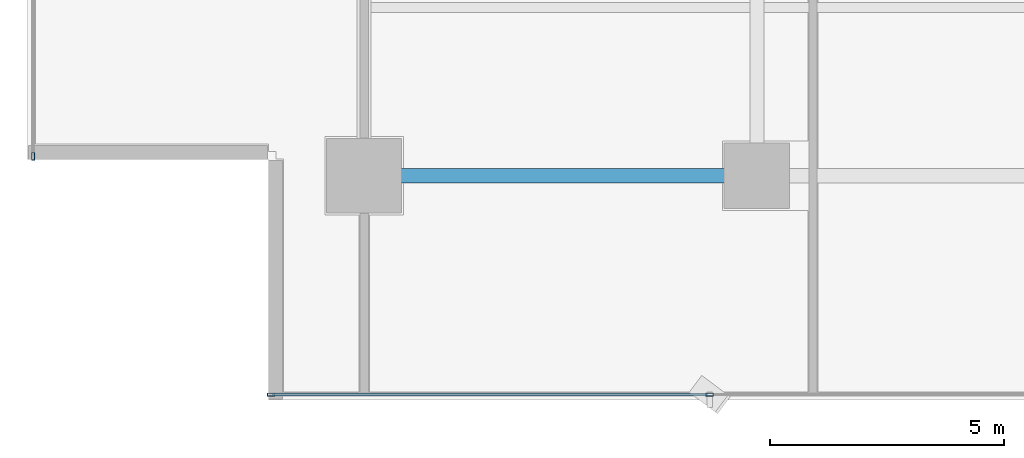
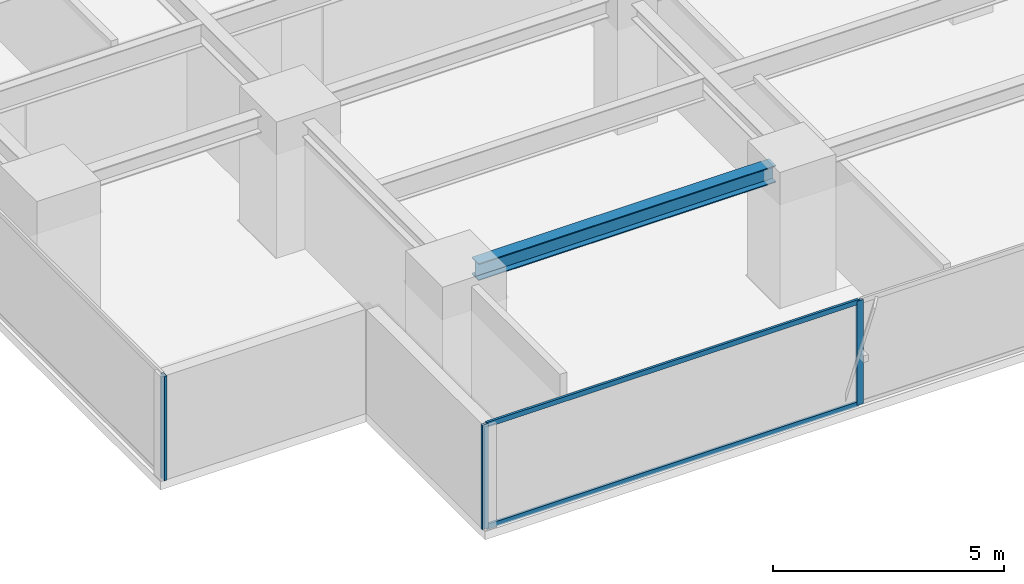
# One storey, part 2 of 28: 5 members, 1 beam, 2 elements without a shape of their own.
"""IFC4 building model written with IfcOpenShell, lengths in metres."""

from ifc_helpers import new_model, si_unit, direction, frame, origin, origin_2d, place, context, subcontext, project, spatial, hollow_rectangle, i_section, extrude, source, transform, mapped, material, layer, layer_set, material_profile, profile_set, type_object, element, aggregate, save


model = new_model("IFC4")

# Units and contexts
model_context = context("Model", 3, precision=1e-05, world=origin(), true_north=direction((0.0, 1.0)))
body_context = subcontext(model_context, "Body", "Model", "MODEL_VIEW")
ifc_project = project(units=[si_unit("LENGTHUNIT", "METRE"), si_unit("AREAUNIT", "SQUARE_METRE"), si_unit("VOLUMEUNIT", "CUBIC_METRE"), si_unit("PLANEANGLEUNIT", "RADIAN"), si_unit("MASSUNIT", "GRAM", prefix="KILO")], contexts=[model_context])

# Site, building, storey
site_placement = place(None, origin())
site = spatial("IfcSite", under=ifc_project, at=site_placement, CompositionType="ELEMENT")
building_placement = place(site_placement, origin())
building = spatial("IfcBuilding", under=site, at=building_placement, Name="Sumidabori Civic Tower", CompositionType="ELEMENT")
storey_placement = place(building_placement, frame((0.0, 0.0, 174.800048828125)))
storey = spatial("IfcBuildingStorey", under=building, at=storey_placement, Name="L45", CompositionType="ELEMENT", Elevation=174.800048828125)

# Beam
ifc_material_1 = material(Name="Steel SN490", Category="steel")
ifc_material_profile_1 = material_profile(ifc_material_1, i_section(OverallWidth=0.300048828125, OverallDepth=0.449951171875, WebThickness=0.013916015625, FlangeThickness=0.02587890625, at=origin_2d()), Name="HE 450 B")
ifc_profile_set_1 = profile_set([ifc_material_profile_1], Name="Steel SN490")
beam_type = type_object("IfcBeamType", Name="BM-GIRD-450", PredefinedType="BEAM", material=ifc_profile_set_1)
shared_shape_1 = source(origin(), body_context, "Body", "SweptSolid", [
    extrude(i_section(OverallWidth=0.300048828125, OverallDepth=0.449951171875, WebThickness=0.013916015625, FlangeThickness=0.02587890625, at=origin_2d()), origin(), (0.0, 0.0, 1.0), 7.440185546875),
])
beam_placement = place(storey_placement, frame((-16.320068359375, -18.0, 3.155029296875), z_axis=(1.0, 0.0, 0.0), x_axis=(0.0, 1.0, 0.0)))
element("IfcBeam", 1, at=beam_placement, inside=storey, type_object=beam_type, Name="Primary Girder L45 GX-01", PredefinedType="BEAM", context=body_context, shape_type="MappedRepresentation", body=[
    mapped(shared_shape_1, transform((0.0, 0.0, 0.0), x_axis=(1.0, 0.0, 0.0), y_axis=(0.0, 1.0, 0.0), z_axis=(0.0, 0.0, 1.0), scale=1.0)),
])

# Curtain wall, members
ifc_material_2 = material(Name="Anodised Bronze Aluminium AW-6063-T6", Category="aluminium")
ifc_layer = layer(ifc_material_2, 0.179931640625, Name="Anodised Bronze Aluminium AW-6063-T6")
ifc_layer_set = layer_set([ifc_layer], Name="Anodised Bronze Aluminium AW-6063-T6")
curtain_wall_type = type_object("IfcCurtainWallType", Name="CW-SYS-3", PredefinedType="NOTDEFINED", material=ifc_layer_set)
curtain_wall_1_placement = place(storey_placement, origin())
curtain_wall_1 = element("IfcCurtainWall", 2, at=curtain_wall_1_placement, inside=storey, type_object=curtain_wall_type, Name="Curtain Wall CW:L45:R01", PredefinedType="NOTDEFINED")
ifc_material_profile_2 = material_profile(ifc_material_2, hollow_rectangle(XDim=0.06494140625, YDim=0.159912109375, WallThickness=0.0048828125, at=origin_2d()), Name="ALU MULLION 160x65")
ifc_profile_set_2 = profile_set([ifc_material_profile_2], Name="Anodised Bronze Aluminium AW-6063-T6")
member_type_1 = type_object("IfcMemberType", Name="CW-MUL-160", PredefinedType="MULLION", material=ifc_profile_set_2)
shared_shape_2 = source(origin(), body_context, "Body", "SweptSolid", [
    extrude(hollow_rectangle(XDim=0.06494140625, YDim=0.159912109375, WallThickness=0.0048828125, at=origin_2d()), origin(), (0.0, 0.0, 1.0), 2.760009765625),
])
member_1_placement = place(storey_placement, frame((-18.78759765625, -22.679931640625, 0.0), z_axis=(0.0, 0.0, 1.0), x_axis=(0.0, 1.0, 0.0)))
member_1 = element("IfcMember", 3, at=member_1_placement, type_object=member_type_1, Name="CW-3 mullion 1", PredefinedType="MULLION", context=body_context, shape_type="MappedRepresentation", body=[
    mapped(shared_shape_2, transform((0.0, 0.0, 0.0), x_axis=(1.0, 0.0, 0.0), y_axis=(0.0, 1.0, 0.0), z_axis=(0.0, 0.0, 1.0), scale=1.0)),
])
member_2_placement = place(storey_placement, frame((-9.409912109375, -22.679931640625, 0.0), z_axis=(0.0, 0.0, 1.0), x_axis=(0.0, 1.0, 0.0)))
member_2 = element("IfcMember", 4, at=member_2_placement, type_object=member_type_1, Name="CW-3 mullion 2", PredefinedType="MULLION", context=body_context, shape_type="MappedRepresentation", body=[
    mapped(shared_shape_2, transform((0.0, 0.0, 0.0), x_axis=(1.0, 0.0, 0.0), y_axis=(0.0, 1.0, 0.0), z_axis=(0.0, 0.0, 1.0), scale=1.0)),
])

# Curtain wall, member
curtain_wall_2_placement = place(storey_placement, origin())
curtain_wall_2 = element("IfcCurtainWall", 5, at=curtain_wall_2_placement, inside=storey, type_object=curtain_wall_type, Name="Curtain Wall CW:L45:R10", PredefinedType="NOTDEFINED")
member_3_placement = place(storey_placement, frame((-23.8798828125, -17.58740234375, 0.0), z_axis=(0.0, 0.0, 1.0), x_axis=(1.0, 0.0, 0.0)))
member_3 = element("IfcMember", 6, at=member_3_placement, type_object=member_type_1, Name="CW-3 mullion 5", PredefinedType="MULLION", context=body_context, shape_type="MappedRepresentation", body=[
    mapped(shared_shape_2, transform((0.0, 0.0, 0.0), x_axis=(1.0, 0.0, 0.0), y_axis=(0.0, 1.0, 0.0), z_axis=(0.0, 0.0, 1.0), scale=1.0)),
])
aggregate(curtain_wall_2, [member_3])

# Member
ifc_material_profile_3 = material_profile(ifc_material_2, hollow_rectangle(XDim=0.06005859375, YDim=0.1298828125, WallThickness=0.0048828125, at=origin_2d()), Name="ALU TRANSOM 130x60")
ifc_profile_set_3 = profile_set([ifc_material_profile_3], Name="Anodised Bronze Aluminium AW-6063-T6")
member_type_2 = type_object("IfcMemberType", Name="CW-TRN-130", PredefinedType="USERDEFINED", material=ifc_profile_set_3)
shared_shape_3 = source(origin(), body_context, "Body", "SweptSolid", [
    extrude(hollow_rectangle(XDim=0.06005859375, YDim=0.1298828125, WallThickness=0.0048828125, at=origin_2d()), origin(), (0.0, 0.0, 1.0), 9.3125),
])
member_4_placement = place(storey_placement, frame((-18.7548828125, -22.679931640625, 0.030029296875), z_axis=(1.0, 0.0, 0.0), x_axis=(0.0, 1.0, 0.0)))
member_4 = element("IfcMember", 7, at=member_4_placement, type_object=member_type_2, Name="CW-3 transom 1.1", ObjectType="TRANSOM", PredefinedType="USERDEFINED", context=body_context, shape_type="MappedRepresentation", body=[
    mapped(shared_shape_3, transform((0.0, 0.0, 0.0), x_axis=(1.0, 0.0, 0.0), y_axis=(0.0, 1.0, 0.0), z_axis=(0.0, 0.0, 1.0), scale=1.0)),
])

member_5_placement = place(storey_placement, frame((-18.7548828125, -22.679931640625, 2.72998046875), z_axis=(1.0, 0.0, 0.0), x_axis=(0.0, 1.0, 0.0)))
member_5 = element("IfcMember", 8, at=member_5_placement, type_object=member_type_2, Name="CW-3 transom 1.2", ObjectType="TRANSOM", PredefinedType="USERDEFINED", context=body_context, shape_type="MappedRepresentation", body=[
    mapped(shared_shape_3, transform((0.0, 0.0, 0.0), x_axis=(1.0, 0.0, 0.0), y_axis=(0.0, 1.0, 0.0), z_axis=(0.0, 0.0, 1.0), scale=1.0)),
])

aggregate(curtain_wall_1, [member_1, member_2, member_4, member_5])

save(model, "model.ifc")
